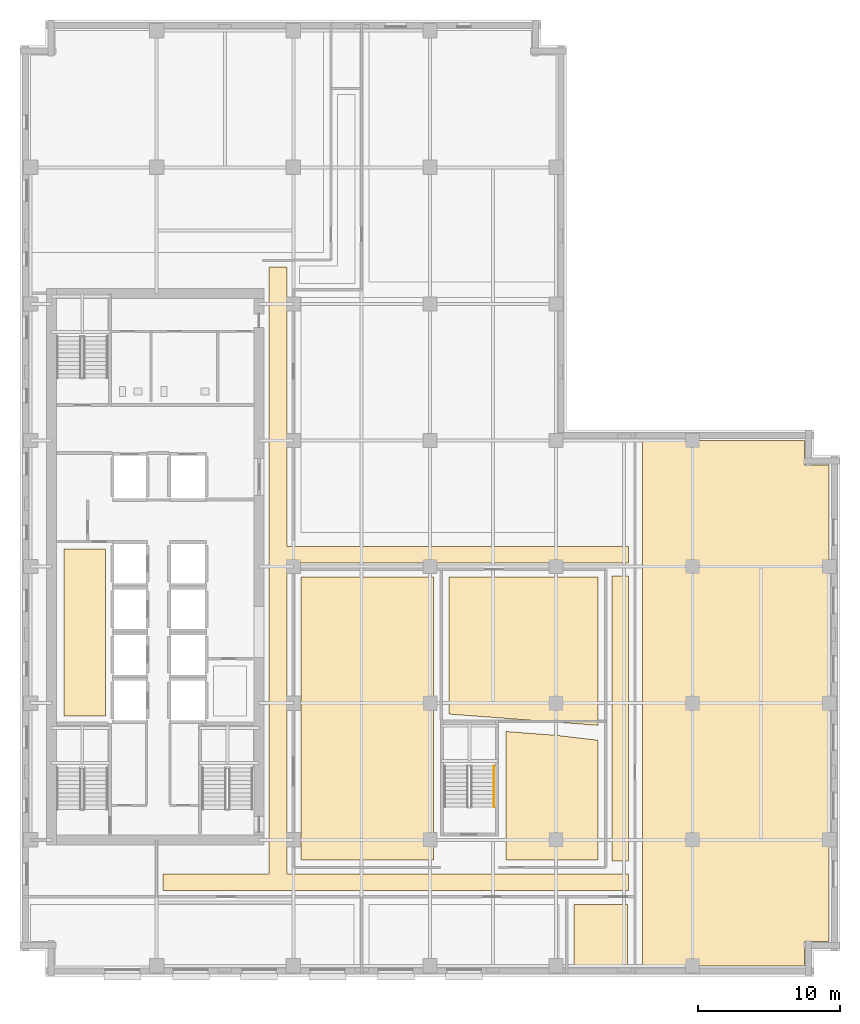
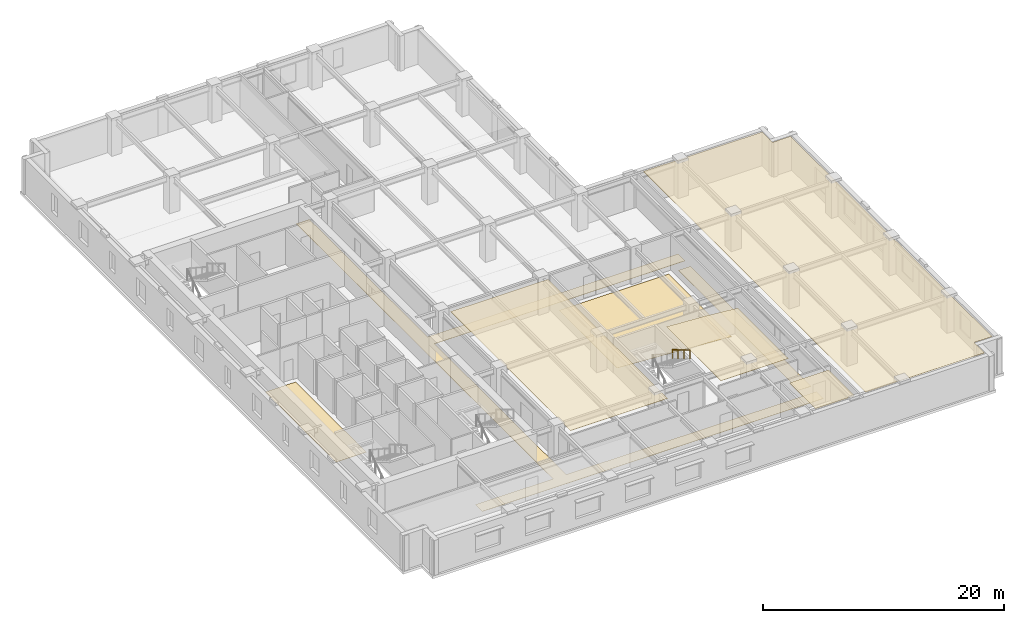
# One storey, part 9 of 12: 8 coverings, 1 railing.
"""IFC4 building model written with IfcOpenShell, lengths in metres."""

from ifc_helpers import new_model, si_unit, direction, frame, origin, origin_2d, place, context, subcontext, project, spatial, polyline, circle, outline, extrude, material, layer, layer_set, type_object, element, save


model = new_model("IFC4")

# Units and contexts
model_context = context("Model", 3, precision=1e-05, world=origin(), true_north=direction((0.0, 1.0)))
body_context = subcontext(model_context, "Body", "Model", "MODEL_VIEW")
ifc_project = project(units=[si_unit("LENGTHUNIT", "METRE"), si_unit("AREAUNIT", "SQUARE_METRE"), si_unit("VOLUMEUNIT", "CUBIC_METRE"), si_unit("PLANEANGLEUNIT", "RADIAN"), si_unit("MASSUNIT", "GRAM", prefix="KILO")], contexts=[model_context])

# Site, building, storey
site_placement = place(None, origin())
site = spatial("IfcSite", under=ifc_project, at=site_placement, CompositionType="ELEMENT")
building_placement = place(site_placement, origin())
building = spatial("IfcBuilding", under=site, at=building_placement, Name="Norrvale University Quadrangle", CompositionType="ELEMENT")
storey_placement = place(building_placement, frame((0.0, 0.0, 135.60009765625)))
storey = spatial("IfcBuildingStorey", under=building, at=storey_placement, Name="L34", CompositionType="ELEMENT", Elevation=135.60009765625)

# Coverings
ifc_material_1 = material(Name="Perforated Acoustic Mineral Ceiling")
ifc_layer_1 = layer(ifc_material_1, 0.02490234375, Name="Perforated Acoustic Mineral Ceiling")
ifc_layer_set_1 = layer_set([ifc_layer_1], Name="Perforated Acoustic Mineral Ceiling")
covering_type_1 = type_object("IfcCoveringType", Name="Covering Acoustic Ceiling 25", PredefinedType="CEILING", material=ifc_layer_set_1)
covering_1_placement = place(storey_placement, frame((0.0, 0.0, 3.514892578125)))
element("IfcCovering", 1, at=covering_1_placement, inside=storey, type_object=covering_type_1, Name="Acoustic Ceiling RM-L34-S03", PredefinedType="CEILING", context=body_context, shape_type="SweptSolid", body=[
    extrude(outline(polyline([(38.929931640625, 5.070068359375), (42.669921875, 5.070068359375), (42.669921875, 0.75), (38.929931640625, 0.75), (38.929931640625, 5.070068359375)])), origin(), (0.0, 0.0, 1.0), 0.02490234375),
])
covering_2_placement = place(storey_placement, frame((0.0, 0.0, 3.514892578125)))
element("IfcCovering", 2, at=covering_2_placement, inside=storey, type_object=covering_type_1, Name="Acoustic Ceiling RM-L34-E01", PredefinedType="CEILING", context=body_context, shape_type="SweptSolid", body=[
    extrude(outline(polyline([(43.72998046875, 0.75), (43.72998046875, 37.64990234375), (55.1298828125, 37.64990234375), (55.1298828125, 35.929931640625), (56.85009765625, 35.929931640625), (56.85009765625, 2.469970703125), (55.1298828125, 2.469970703125), (55.1298828125, 0.75), (43.72998046875, 0.75)])), origin(), (0.0, 0.0, 1.0), 0.02490234375),
])
covering_3_placement = place(storey_placement, frame((0.0, 0.0, 3.514892578125)))
element("IfcCovering", 3, at=covering_3_placement, inside=storey, type_object=covering_type_1, Name="Acoustic Ceiling RM-L34-IW1", PredefinedType="CEILING", context=body_context, shape_type="SweptSolid", body=[
    extrude(outline(polyline([(19.72998046875, 8.179931640625), (19.72998046875, 28.070068359375), (29.050048828125, 28.070068359375), (29.050048828125, 8.179931640625), (19.72998046875, 8.179931640625)])), origin(), (0.0, 0.0, 1.0), 0.02490234375),
])
covering_4_placement = place(storey_placement, frame((0.0, 0.0, 3.514892578125)))
element("IfcCovering", 4, at=covering_4_placement, inside=storey, type_object=covering_type_1, Name="Acoustic Ceiling RM-L34-ISE", PredefinedType="CEILING", context=body_context, shape_type="SweptSolid", body=[
    extrude(outline(polyline([(40.6201171875, 16.60009765625), (40.6201171875, 8.179931640625), (34.14990234375, 8.179931640625), (34.14990234375, 17.2109375), (37.62890625, 16.948974609375), (40.6201171875, 16.60009765625)])), origin(), (0.0, 0.0, 1.0), 0.02490234375),
])
ifc_material_2 = material(Name="Polished Terrazzo Flooring")
ifc_layer_2 = layer(ifc_material_2, 0.02490234375, Name="Polished Terrazzo Flooring")
ifc_layer_set_2 = layer_set([ifc_layer_2], Name="Polished Terrazzo Flooring")
covering_type_2 = type_object("IfcCoveringType", Name="Covering Terrazzo Floor 30", PredefinedType="FLOORING", material=ifc_layer_set_2)
covering_5_placement = place(storey_placement, origin())
element("IfcCovering", 5, at=covering_5_placement, inside=storey, type_object=covering_type_2, Name="Terrazzo Flooring RM-L34-WSTOR", PredefinedType="FLOORING", context=body_context, shape_type="SweptSolid", body=[
    extrude(outline(polyline([(3.10009765625, 18.300048828125), (3.10009765625, 30.030029296875), (6.0, 30.030029296875), (6.0, 18.300048828125), (3.10009765625, 18.300048828125)])), origin(), (0.0, 0.0, 1.0), 0.02490234375),
])
covering_6_placement = place(storey_placement, origin())
element("IfcCovering", 6, at=covering_6_placement, inside=storey, type_object=covering_type_2, Name="Terrazzo Flooring RM-L34-CORR1", PredefinedType="FLOORING", context=body_context, shape_type="SweptSolid", body=[
    extrude(outline(polyline([(10.050048828125, 6.050048828125), (10.050048828125, 7.199951171875), (17.5, 7.199951171875), (17.5, 49.85009765625), (18.75, 49.85009765625), (18.75, 30.199951171875), (42.75, 30.199951171875), (42.75, 29.050048828125), (18.75, 29.050048828125), (18.75, 7.199951171875), (42.75, 7.199951171875), (42.75, 6.050048828125), (10.050048828125, 6.050048828125)])), origin(), (0.0, 0.0, 1.0), 0.02490234375),
])
covering_7_placement = place(storey_placement, origin())
element("IfcCovering", 7, at=covering_7_placement, inside=storey, type_object=covering_type_2, Name="Terrazzo Flooring RM-L34-CORR2", PredefinedType="FLOORING", context=body_context, shape_type="SweptSolid", body=[
    extrude(outline(polyline([(41.60009765625, 8.10009765625), (41.60009765625, 28.14990234375), (42.75, 28.14990234375), (42.75, 8.10009765625), (41.60009765625, 8.10009765625)])), origin(), (0.0, 0.0, 1.0), 0.02490234375),
])
covering_8_placement = place(storey_placement, origin())
element("IfcCovering", 8, at=covering_8_placement, inside=storey, type_object=covering_type_2, Name="Terrazzo Flooring RM-L34-ILH", PredefinedType="FLOORING", context=body_context, shape_type="SweptSolid", body=[
    extrude(outline(polyline([(30.1298828125, 18.43701171875), (30.1298828125, 28.070068359375), (40.6201171875, 28.070068359375), (40.6201171875, 17.64501953125), (30.1298828125, 18.43701171875)])), origin(), (0.0, 0.0, 1.0), 0.02490234375),
])

# Railing
ifc_material_3 = material(Name="Stainless Steel 316L Handrail", Category="steel")
railing_type = type_object("IfcRailingType", Name="Railing Stair Handrail 920", PredefinedType="HANDRAIL", material=ifc_material_3)
railing_placement = place(storey_placement, frame((33.31005859375, 14.800048828125, 2.072509765625)))
element("IfcRailing", 9, at=railing_placement, inside=storey, type_object=railing_type, Name="Stair Upper Flight Handrail ST-04 L34", PredefinedType="HANDRAIL", context=body_context, shape_type="SweptSolid", body=[
    extrude(circle(Radius=0.02392578125, at=origin_2d()), frame((0.0, 0.0, 0.89599609375), z_axis=(0.0, -0.859160404282, 0.51170636083), x_axis=(1.0, 0.0, 0.0)), (0.0, 0.0, 1.0), 3.37548828125),
    extrude(circle(Radius=0.02099609375, at=origin_2d()), origin(), (0.0, 0.0, 1.0), 0.871826171875),
    extrude(circle(Radius=0.02099609375, at=origin_2d()), frame((0.0, -0.966796875, 0.57568359375)), (0.0, 0.0, 1.0), 0.871826171875),
    extrude(circle(Radius=0.02099609375, at=origin_2d()), frame((0.0, -1.933349609375, 1.151611328125)), (0.0, 0.0, 1.0), 0.871826171875),
    extrude(circle(Radius=0.02099609375, at=origin_2d()), frame((0.0, -2.900146484375, 1.727294921875)), (0.0, 0.0, 1.0), 0.871826171875),
])

save(model, "model.ifc")
